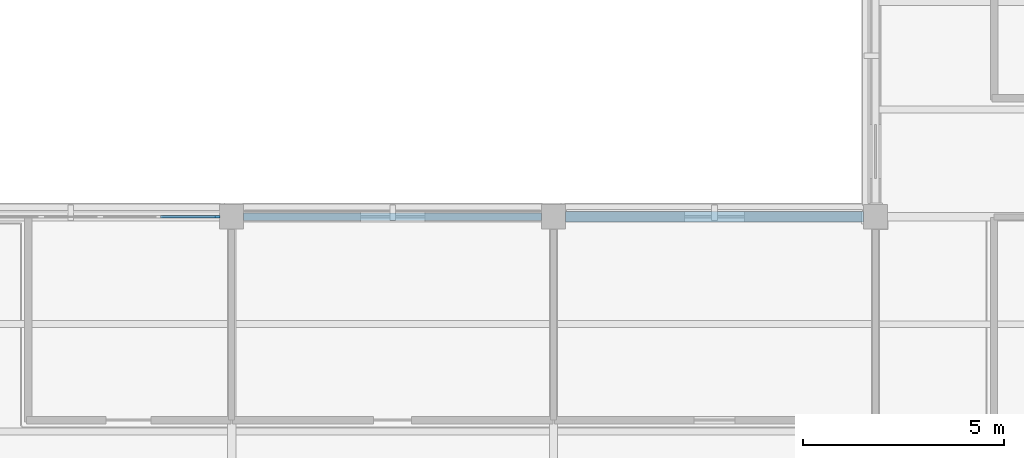
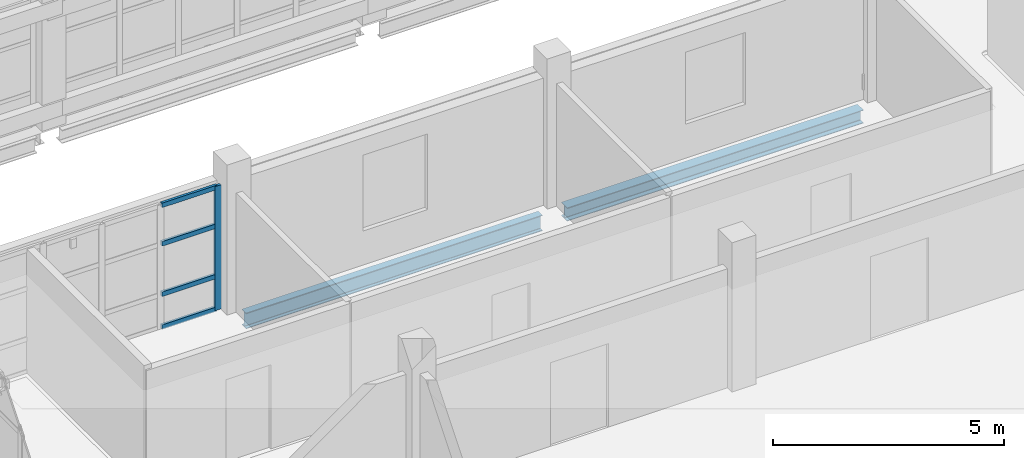
# One storey, part 50 of 126: 5 members, 2 beams, 1 element without a shape of its own.
"""IFC4 building model written with IfcOpenShell, lengths in metres."""

from ifc_helpers import new_model, si_unit, derived_unit, direction, frame, origin, origin_2d, place, context, subcontext, project, spatial, rectangle, i_section, extrude, material, layer, layer_set, material_profile, profile_set, type_object, element, aggregate, save


model = new_model("IFC4")

# Units and contexts
model_context = context("Model", 3, precision=1e-05, world=origin(), true_north=direction((0.0, 1.0)))
body_context = subcontext(model_context, "Body", "Model", "MODEL_VIEW")
ifc_project = project(units=[si_unit("LENGTHUNIT", "METRE"), si_unit("AREAUNIT", "SQUARE_METRE"), si_unit("VOLUMEUNIT", "CUBIC_METRE"), si_unit("PLANEANGLEUNIT", "RADIAN"), si_unit("MASSUNIT", "GRAM", prefix="KILO"), derived_unit("THERMALTRANSMITTANCEUNIT", [(si_unit("MASSUNIT", "GRAM", prefix="KILO"), 1), (si_unit("TIMEUNIT", "SECOND"), -3), (si_unit("THERMODYNAMICTEMPERATUREUNIT", "KELVIN"), -1)])], contexts=[model_context])

# Site, building, storey
site_placement = place(None, origin())
site = spatial("IfcSite", under=ifc_project, at=site_placement, CompositionType="ELEMENT")
building_placement = place(site_placement, origin())
building = spatial("IfcBuilding", under=site, at=building_placement, Name="Veyamyaing Civic Hall", CompositionType="ELEMENT")
storey_placement = place(building_placement, frame((0.0, 0.0, 9.89990234375)))
storey = spatial("IfcBuildingStorey", under=building, at=storey_placement, Name="L02", CompositionType="ELEMENT", Elevation=9.89990234375)

# Beams
ifc_material_1 = material(Name="Steel ASTM A992", Category="steel")
ifc_material_profile_1 = material_profile(ifc_material_1, i_section(OverallWidth=0.180908203125, OverallDepth=0.4169921875, WebThickness=0.010986328125, FlangeThickness=0.018310546875, FilletRadius=0.010009765625, at=origin_2d()), Name="W410X85")
ifc_profile_set_1 = profile_set([ifc_material_profile_1], Name="Steel ASTM A992")
beam_type_1 = type_object("IfcBeamType", Name="B-19", PredefinedType="SPANDREL", material=ifc_profile_set_1)
beam_1_placement = place(storey_placement, frame((144.300048828125, 40.0, -0.493408203125), z_axis=(1.0, 0.0, 0.0), x_axis=(0.0, 1.0, 0.0)))
element("IfcBeam", 1, at=beam_1_placement, inside=storey, type_object=beam_type_1, Name="Girder B-19 L02 Grid F 19-20", PredefinedType="SPANDREL", context=body_context, shape_type="SweptSolid", body=[
    extrude(i_section(OverallWidth=0.180908203125, OverallDepth=0.4169921875, WebThickness=0.010986328125, FlangeThickness=0.018310546875, FilletRadius=0.010009765625, at=origin_2d()), origin(), (0.0, 0.0, 1.0), 7.39990234375),
])
ifc_material_profile_2 = material_profile(ifc_material_1, i_section(OverallWidth=0.25390625, OverallDepth=0.35302734375, WebThickness=0.009521484375, FlangeThickness=0.016357421875, FilletRadius=0.011962890625, at=origin_2d()), Name="W360X91")
ifc_profile_set_2 = profile_set([ifc_material_profile_2], Name="Steel ASTM A992")
beam_type_2 = type_object("IfcBeamType", Name="B-20", PredefinedType="SPANDREL", material=ifc_profile_set_2)
beam_2_placement = place(storey_placement, frame((152.300048828125, 40.0, -0.46142578125), z_axis=(1.0, 0.0, 0.0), x_axis=(0.0, 1.0, 0.0)))
element("IfcBeam", 2, at=beam_2_placement, inside=storey, type_object=beam_type_2, Name="Girder B-20 L02 Grid F 20-21", PredefinedType="SPANDREL", context=body_context, shape_type="SweptSolid", body=[
    extrude(i_section(OverallWidth=0.25390625, OverallDepth=0.35302734375, WebThickness=0.009521484375, FlangeThickness=0.016357421875, FilletRadius=0.011962890625, at=origin_2d()), origin(), (0.0, 0.0, 1.0), 7.39990234375),
])

# Curtain wall, members
ifc_material_2 = material(Name="Anodised aluminium 6063-T6", Category="aluminium")
ifc_layer = layer(ifc_material_2, 0.159912109375, Name="Anodised aluminium 6063-T6")
ifc_layer_set = layer_set([ifc_layer], Name="Anodised aluminium 6063-T6")
curtain_wall_type = type_object("IfcCurtainWallType", Name="CW-03", PredefinedType="NOTDEFINED", material=ifc_layer_set)
curtain_wall_placement = place(storey_placement, origin())
curtain_wall = element("IfcCurtainWall", 3, at=curtain_wall_placement, inside=storey, type_object=curtain_wall_type, Name="Unitized curtain wall CW-03 L02 N 18.5", PredefinedType="NOTDEFINED")
ifc_material_profile_3 = material_profile(ifc_material_2, rectangle(XDim=0.06494140625, YDim=0.159912109375, at=origin_2d()), Name="ALU-MUL-65X160")
ifc_profile_set_3 = profile_set([ifc_material_profile_3], Name="Anodised aluminium 6063-T6")
member_type_1 = type_object("IfcMemberType", Name="CWM-01", PredefinedType="MULLION", material=ifc_profile_set_3)
member_1_placement = place(storey_placement, frame((143.637451171875, 40.0, 0.0), z_axis=(0.0, 0.0, 1.0), x_axis=(0.0, 1.0, 0.0)))
member_1 = element("IfcMember", 4, at=member_1_placement, type_object=member_type_1, Name="CW-03 mullion 6", PredefinedType="MULLION", context=body_context, shape_type="SweptSolid", body=[
    extrude(rectangle(XDim=0.06494140625, YDim=0.159912109375, at=origin_2d()), origin(), (0.0, 0.0, 1.0), 3.280029296875),
])
ifc_material_profile_4 = material_profile(ifc_material_2, rectangle(XDim=0.06494140625, YDim=0.1201171875, at=origin_2d()), Name="ALU-TRN-65X120")
ifc_profile_set_4 = profile_set([ifc_material_profile_4], Name="Anodised aluminium 6063-T6")
member_type_2 = type_object("IfcMemberType", Name="CWT-01", PredefinedType="USERDEFINED", material=ifc_profile_set_4)
member_2_placement = place(storey_placement, frame((142.234619140625, 40.0, 0.03271484375), z_axis=(1.0, 0.0, 0.0), x_axis=(0.0, 1.0, 0.0)))
member_2 = element("IfcMember", 5, at=member_2_placement, type_object=member_type_2, Name="CW-03 transom 5.1", ObjectType="TRANSOM", PredefinedType="USERDEFINED", context=body_context, shape_type="SweptSolid", body=[
    extrude(rectangle(XDim=0.06494140625, YDim=0.1201171875, at=origin_2d()), origin(), (0.0, 0.0, 1.0), 1.370361328125),
])
member_3_placement = place(storey_placement, frame((142.234619140625, 40.0, 0.900146484375), z_axis=(1.0, 0.0, 0.0), x_axis=(0.0, 1.0, 0.0)))
member_3 = element("IfcMember", 6, at=member_3_placement, type_object=member_type_2, Name="CW-03 transom 5.2", ObjectType="TRANSOM", PredefinedType="USERDEFINED", context=body_context, shape_type="SweptSolid", body=[
    extrude(rectangle(XDim=0.06494140625, YDim=0.1201171875, at=origin_2d()), origin(), (0.0, 0.0, 1.0), 1.370361328125),
])
member_4_placement = place(storey_placement, frame((142.234619140625, 40.0, 2.23046875), z_axis=(1.0, 0.0, 0.0), x_axis=(0.0, 1.0, 0.0)))
member_4 = element("IfcMember", 7, at=member_4_placement, type_object=member_type_2, Name="CW-03 transom 5.3", ObjectType="TRANSOM", PredefinedType="USERDEFINED", context=body_context, shape_type="SweptSolid", body=[
    extrude(rectangle(XDim=0.06494140625, YDim=0.1201171875, at=origin_2d()), origin(), (0.0, 0.0, 1.0), 1.370361328125),
])
member_5_placement = place(storey_placement, frame((142.234619140625, 40.0, 3.24755859375), z_axis=(1.0, 0.0, 0.0), x_axis=(0.0, 1.0, 0.0)))
member_5 = element("IfcMember", 8, at=member_5_placement, type_object=member_type_2, Name="CW-03 transom 5.4", ObjectType="TRANSOM", PredefinedType="USERDEFINED", context=body_context, shape_type="SweptSolid", body=[
    extrude(rectangle(XDim=0.06494140625, YDim=0.1201171875, at=origin_2d()), origin(), (0.0, 0.0, 1.0), 1.370361328125),
])
aggregate(curtain_wall, [member_1, member_2, member_3, member_4, member_5])

save(model, "model.ifc")
